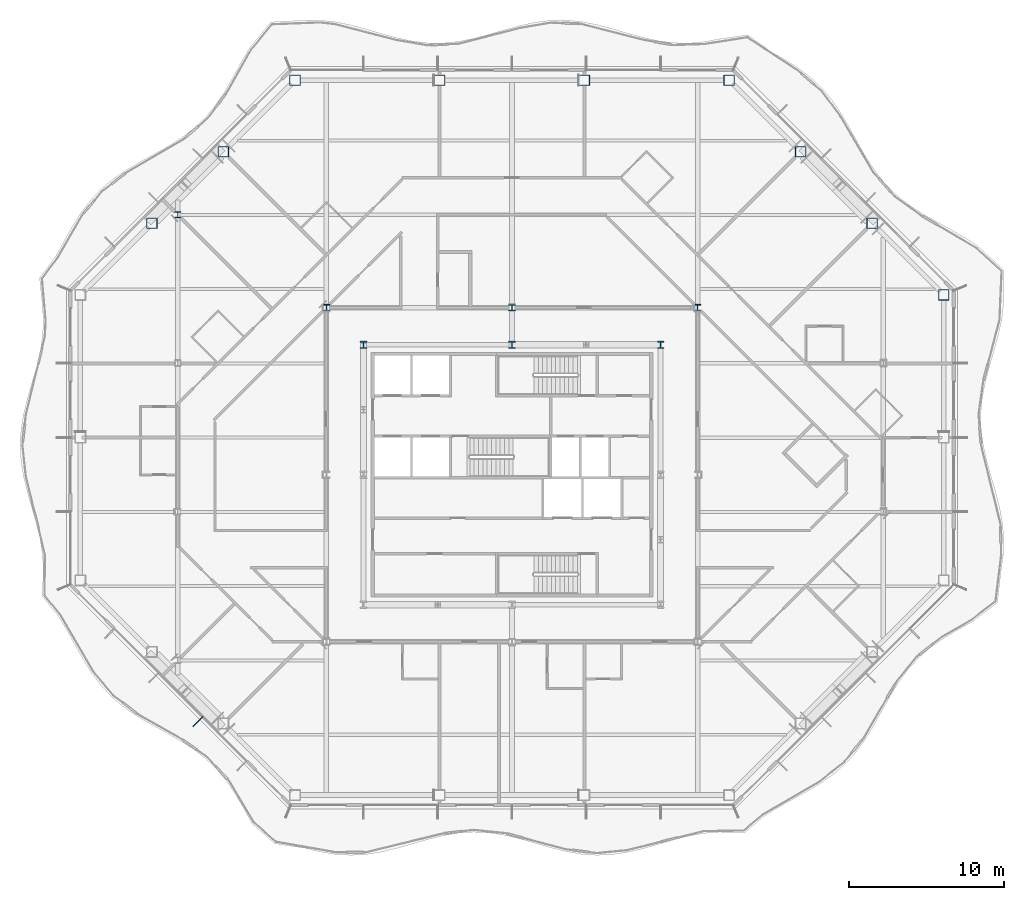
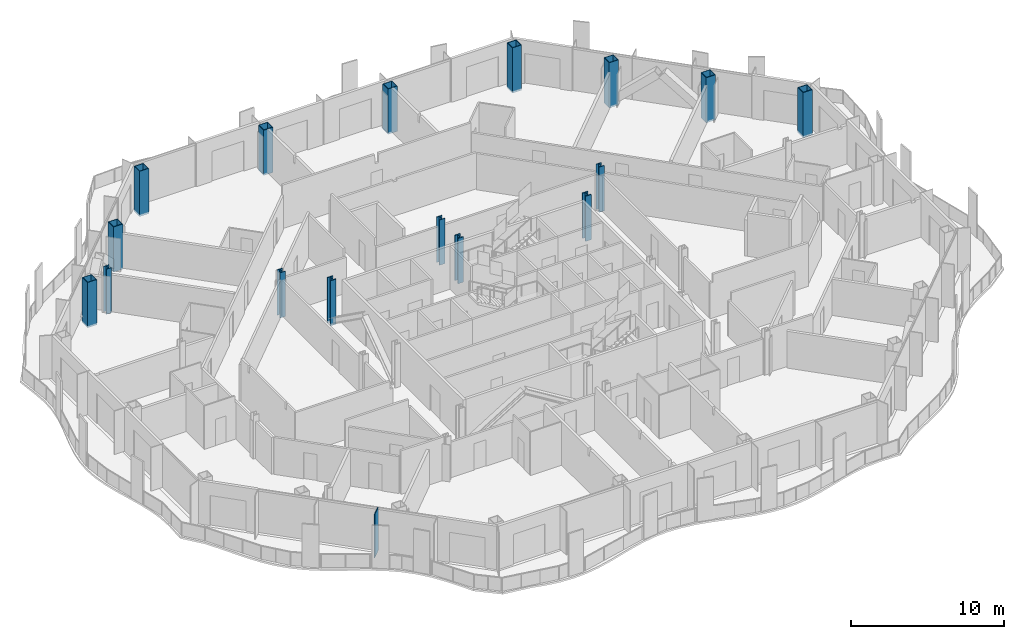
# One storey, part 2 of 21: 16 columns, 1 member, 1 element without a shape of its own.
"""IFC4 building model written with IfcOpenShell, lengths in metres."""

from ifc_helpers import new_model, si_unit, direction, frame, origin, origin_2d, place, context, subcontext, project, spatial, rectangle, hollow_rectangle, i_section, extrude, material, material_profile, profile_set, type_object, element, aggregate, save


model = new_model("IFC4")

# Units and contexts
model_context = context("Model", 3, precision=1e-05, world=origin(), true_north=direction((0.0, 1.0)))
body_context = subcontext(model_context, "Body", "Model", "MODEL_VIEW")
ifc_project = project(units=[si_unit("LENGTHUNIT", "METRE"), si_unit("AREAUNIT", "SQUARE_METRE"), si_unit("VOLUMEUNIT", "CUBIC_METRE"), si_unit("PLANEANGLEUNIT", "RADIAN"), si_unit("MASSUNIT", "GRAM", prefix="KILO")], contexts=[model_context])

# Site, building, storey
site_placement = place(None, origin())
site = spatial("IfcSite", under=ifc_project, at=site_placement, CompositionType="ELEMENT")
building_placement = place(site_placement, origin())
building = spatial("IfcBuilding", under=site, at=building_placement, Name="Cairn Pilgrim Tower", CompositionType="ELEMENT")
storey_placement = place(building_placement, frame((0.0, 0.0, 132.60009765625)))
storey = spatial("IfcBuildingStorey", under=building, at=storey_placement, Name="L32", CompositionType="ELEMENT", Elevation=132.60009765625)

# Columns
ifc_material_1 = material(Name="Structural steel S460M", Category="steel")
ifc_material_profile_1 = material_profile(ifc_material_1, hollow_rectangle(XDim=0.699951171875, YDim=0.699951171875, WallThickness=0.0400390625, at=origin_2d()), Name="BOX 700x700x40")
ifc_profile_set_1 = profile_set([ifc_material_profile_1], Name="Structural steel S460M")
column_type_1 = type_object("IfcColumnType", Name="BOX 700x700x40", PredefinedType="COLUMN", material=ifc_profile_set_1)
for number, where, z_axis, x_axis, name in (
    (1, (35.10009765625, 14.027099609375, -0.150146484375), (0.0, 0.0, 1.0), (1.0, 0.0, 0.0), "PC2-NE1"),
    (2, (30.4755859375, 18.651611328125, -0.150146484375), (0.0, 0.0, 1.0), (1.0, 0.0, 0.0), "PC2-NE2"),
    (3, (25.8515625, 23.275634765625, -0.150146484375), (0.0, 0.0, 1.0), (1.0, 0.0, 0.0), "PC2-NE3"),
    (4, (21.227294921875, 27.89990234375, -0.150146484375), (0.0, 0.0, 1.0), (1.0, 0.0, 0.0), "PC2-N1"),
    (5, (11.875732421875, 27.89990234375, -0.150146484375), (0.0, 0.0, 1.0), (1.0, 0.0, 0.0), "PC2-N2"),
    (6, (2.5244140625, 27.89990234375, -0.150146484375), (0.0, 0.0, 1.0), (1.0, 0.0, 0.0), "PC2-N3"),
    (7, (-6.8271484375, 27.89990234375, -0.150146484375), (0.0, 0.0, 1.0), (1.0, 0.0, 0.0), "PC2-NW1"),
    (8, (-11.451416015625, 23.275634765625, -0.150146484375), (0.0, 0.0, 1.0), (1.0, 0.0, 0.0), "PC2-NW2"),
    (9, (-16.07568359375, 18.651611328125, -0.150146484375), (0.0, 0.0, 1.0), (1.0, 0.0, 0.0), "PC2-NW3"),
):
    element("IfcColumn", number, at=place(storey_placement, frame(where, z_axis=z_axis, x_axis=x_axis)), inside=storey, type_object=column_type_1, Name=name, PredefinedType="COLUMN", context=body_context, shape_type="SweptSolid", body=[
        extrude(hollow_rectangle(XDim=0.699951171875, YDim=0.699951171875, WallThickness=0.0400390625, at=origin_2d()), origin(), (0.0, 0.0, 1.0), 3.60009765625),
    ])
ifc_material_2 = material(Name="Structural steel S355J2", Category="steel")
ifc_material_profile_2 = material_profile(ifc_material_2, i_section(OverallWidth=0.39892578125, OverallDepth=0.39306640625, WebThickness=0.022705078125, FlangeThickness=0.03662109375, FilletRadius=0.014892578125, at=origin_2d()), Name="HD 400x287")
ifc_profile_set_2 = profile_set([ifc_material_profile_2], Name="Structural steel S355J2")
column_type_2 = type_object("IfcColumnType", Name="HD 400x287", PredefinedType="COLUMN", material=ifc_profile_set_2)
column_placement = place(storey_placement, frame((-14.39990234375, 19.199951171875, -0.150146484375), z_axis=(0.0, 0.0, 1.0), x_axis=(1.0, 0.0, 0.0)))
element("IfcColumn", 10, at=column_placement, inside=storey, type_object=column_type_2, Name="WC-WW+4", PredefinedType="COLUMN", context=body_context, shape_type="SweptSolid", body=[
    extrude(i_section(OverallWidth=0.39892578125, OverallDepth=0.39306640625, WebThickness=0.022705078125, FlangeThickness=0.03662109375, FilletRadius=0.014892578125, at=origin_2d()), origin(), (0.0, 0.0, 1.0), 3.60009765625),
])
ifc_material_profile_3 = material_profile(ifc_material_1, i_section(OverallWidth=0.408935546875, OverallDepth=0.425048828125, WebThickness=0.03271484375, FlangeThickness=0.052490234375, FilletRadius=0.014892578125, at=origin_2d()), Name="HD 400x421")
ifc_profile_set_3 = profile_set([ifc_material_profile_3], Name="Structural steel S460M")
column_type_3 = type_object("IfcColumnType", Name="HD 400x421", PredefinedType="COLUMN", material=ifc_profile_set_3)
for number, where, z_axis, x_axis, name in (
    (11, (-4.800048828125, 13.199951171875, -0.150146484375), (0.0, 0.0, 1.0), (1.0, 0.0, 0.0), "IC-6"),
    (12, (7.199951171875, 13.199951171875, -0.150146484375), (0.0, 0.0, 1.0), (1.0, 0.0, 0.0), "IC-7"),
    (13, (19.199951171875, 13.199951171875, -0.150146484375), (0.0, 0.0, 1.0), (1.0, 0.0, 0.0), "IC-8"),
):
    element("IfcColumn", number, at=place(storey_placement, frame(where, z_axis=z_axis, x_axis=x_axis)), inside=storey, type_object=column_type_3, Name=name, PredefinedType="COLUMN", context=body_context, shape_type="SweptSolid", body=[
        extrude(i_section(OverallWidth=0.408935546875, OverallDepth=0.425048828125, WebThickness=0.03271484375, FlangeThickness=0.052490234375, FilletRadius=0.014892578125, at=origin_2d()), origin(), (0.0, 0.0, 1.0), 3.60009765625),
    ])
ifc_material_profile_4 = material_profile(ifc_material_1, i_section(OverallWidth=0.424072265625, OverallDepth=0.47412109375, WebThickness=0.047607421875, FlangeThickness=0.0771484375, FilletRadius=0.014892578125, at=origin_2d()), Name="HD 400x634")
ifc_profile_set_4 = profile_set([ifc_material_profile_4], Name="Structural steel S460M")
column_type_4 = type_object("IfcColumnType", Name="HD 400x634", PredefinedType="COLUMN", material=ifc_profile_set_4)
for number, where, z_axis, x_axis, name in (
    (14, (-2.39990234375, 10.800048828125, -0.150146484375), (0.0, 0.0, 1.0), (1.0, 0.0, 0.0), "KC-6"),
    (15, (7.199951171875, 10.800048828125, -0.150146484375), (0.0, 0.0, 1.0), (1.0, 0.0, 0.0), "KC-7"),
    (16, (16.800048828125, 10.800048828125, -0.150146484375), (0.0, 0.0, 1.0), (1.0, 0.0, 0.0), "KC-8"),
):
    element("IfcColumn", number, at=place(storey_placement, frame(where, z_axis=z_axis, x_axis=x_axis)), inside=storey, type_object=column_type_4, Name=name, PredefinedType="COLUMN", context=body_context, shape_type="SweptSolid", body=[
        extrude(i_section(OverallWidth=0.424072265625, OverallDepth=0.47412109375, WebThickness=0.047607421875, FlangeThickness=0.0771484375, FilletRadius=0.014892578125, at=origin_2d()), origin(), (0.0, 0.0, 1.0), 3.60009765625),
    ])

# Curtain wall, member
ifc_material_3 = material(Name="Aluminium alloy 6063-T6 bronze anodised with Bronze tinted laminated low-E glass 8+16+8.8", Category="aluminium")
curtain_wall_type = type_object("IfcCurtainWallType", Name="CHAMFER CORNER CURTAIN WALL", PredefinedType="NOTDEFINED", material=ifc_material_3)
curtain_wall_placement = place(storey_placement, origin())
curtain_wall = element("IfcCurtainWall", 17, at=curtain_wall_placement, inside=storey, type_object=curtain_wall_type, Name="Chamfer Corner Curtain Wall SW", PredefinedType="NOTDEFINED")
ifc_material_4 = material(Name="Aluminium alloy 6063-T6 bronze anodised", Category="aluminium")
ifc_material_profile_5 = material_profile(ifc_material_4, rectangle(XDim=0.89990234375, YDim=0.06005859375, at=origin_2d()), Name="FIN MULLION 60x900 BRONZE")
ifc_profile_set_5 = profile_set([ifc_material_profile_5], Name="Aluminium alloy 6063-T6 bronze anodised")
member_type = type_object("IfcMemberType", Name="FIN MULLION 60x900 BRONZE", PredefinedType="MULLION", material=ifc_profile_set_5)
member_placement = place(storey_placement, frame((-13.094970703125, -13.545654296875, 0.0), z_axis=(0.0, 0.0, 1.0), x_axis=(-0.707106781187, -0.707106781187, 0.0)))
member = element("IfcMember", 18, at=member_placement, type_object=member_type, Name="Fin mullion SW4", PredefinedType="MULLION", context=body_context, shape_type="SweptSolid", body=[
    extrude(rectangle(XDim=0.89990234375, YDim=0.06005859375, at=origin_2d()), origin(), (0.0, 0.0, 1.0), 3.449951171875),
])
aggregate(curtain_wall, [member])

save(model, "model.ifc")
